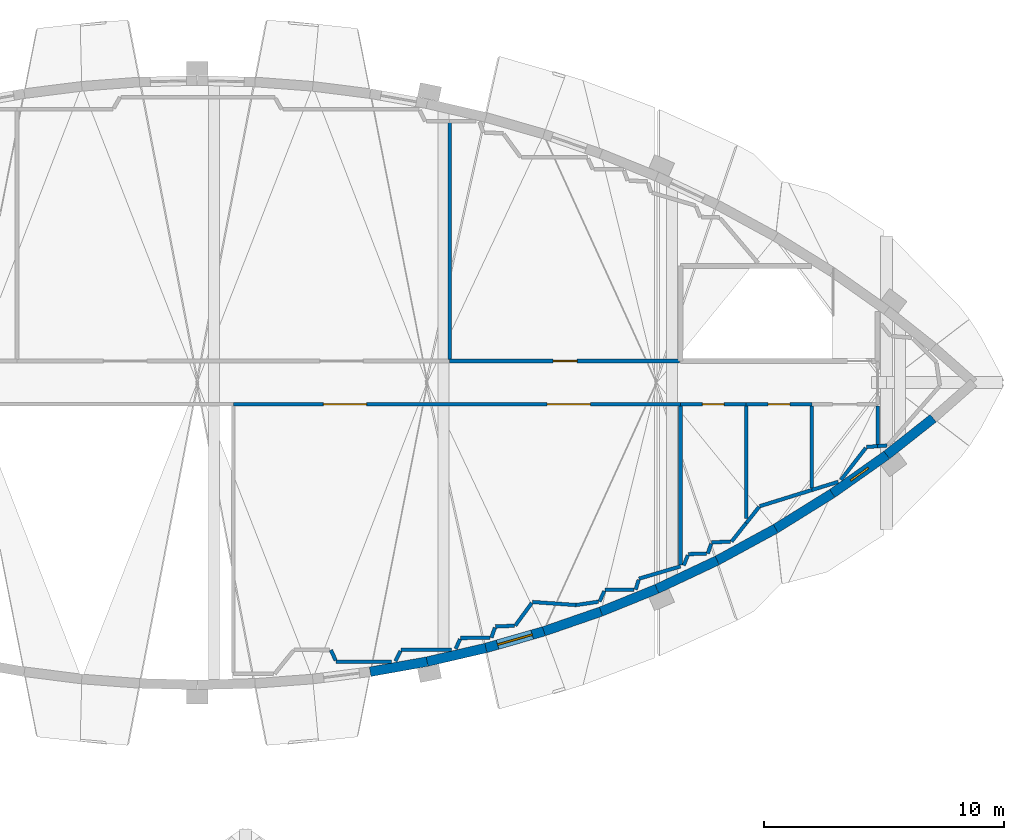
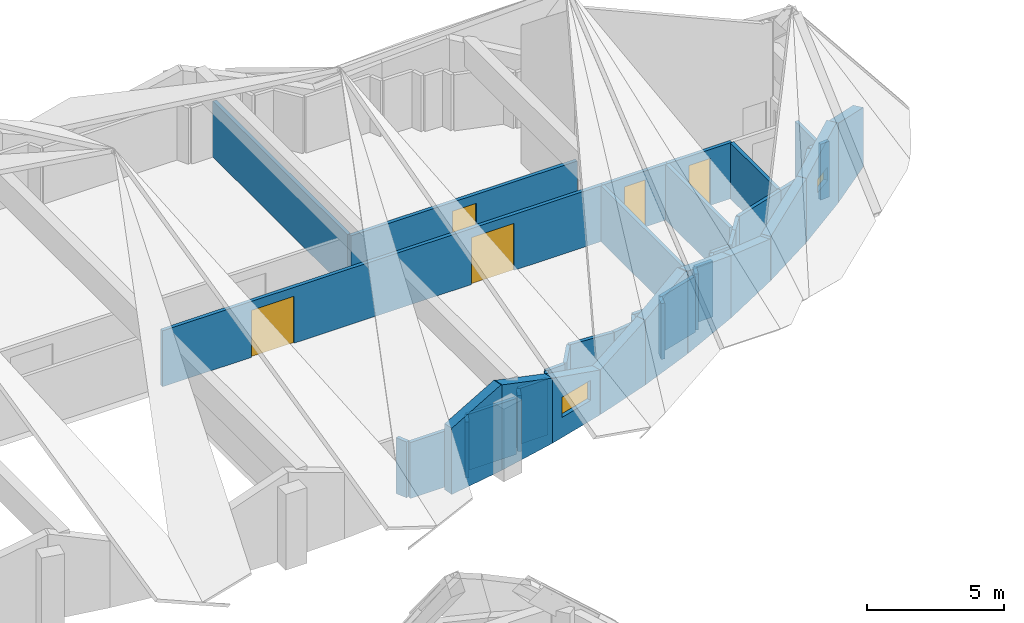
# One storey, part 47 of 56: 45 walls, 5 doors, 2 windows, 7 openings.
"""IFC4 building model written with IfcOpenShell, lengths in metres."""

from ifc_helpers import new_model, si_unit, direction, frame, frame_2d, origin, place, context, subcontext, project, spatial, polyline, rectangle, outline, extrude, material, layer, layer_set, type_object, element, fill, save


model = new_model("IFC4")

# Units and contexts
model_context = context("Model", 3, precision=1e-05, world=origin(), true_north=direction((0.0, 1.0)))
body_context = subcontext(model_context, "Body", "Model", "MODEL_VIEW")
ifc_project = project(units=[si_unit("LENGTHUNIT", "METRE"), si_unit("AREAUNIT", "SQUARE_METRE"), si_unit("VOLUMEUNIT", "CUBIC_METRE"), si_unit("PLANEANGLEUNIT", "RADIAN"), si_unit("MASSUNIT", "GRAM", prefix="KILO")], contexts=[model_context])

# Site, building, storey
site_placement = place(None, origin())
site = spatial("IfcSite", under=ifc_project, at=site_placement, CompositionType="ELEMENT")
building_placement = place(site_placement, origin())
building = spatial("IfcBuilding", under=site, at=building_placement, Name="Tide Square Theatres", CompositionType="ELEMENT")
storey_placement = place(building_placement, frame((0.0, 0.0, 10.199951171875)))
storey = spatial("IfcBuildingStorey", under=building, at=storey_placement, Name="L02", CompositionType="ELEMENT", Elevation=10.199951171875)

# Walls
ifc_material_1 = material(Name="Gypsum board on steel studs", Category="steel")
ifc_layer_1 = layer(ifc_material_1, 0.14990234375)
ifc_layer_set_1 = layer_set([ifc_layer_1], Name="Gypsum board on steel studs")
wall_type_1 = type_object("IfcWallType", Name="Partition 150 thick", PredefinedType="PARTITIONING", material=ifc_layer_set_1)
wall_1_placement = place(storey_placement, frame((138.072998046875, 86.191650390625, 0.0), z_axis=(0.0, 0.0, 1.0), x_axis=(-0.99999999433, -0.000106484932, 0.0)))
element("IfcWall", 1, at=wall_1_placement, inside=storey, type_object=wall_type_1, Name="Rehearsal Block partition", PredefinedType="PARTITIONING", context=body_context, shape_type="SweptSolid", body=[
    extrude(rectangle(XDim=2.292724609375, YDim=0.14990234375, at=frame_2d((1.146484375, 0.0))), origin(), (0.0, 0.0, 1.0), 2.5),
])
wall_2_placement = place(storey_placement, frame((135.755615234375, 86.24609375, 0.0), z_axis=(0.0, 0.0, 1.0), x_axis=(-0.411669446009, 0.911333236101, 0.0)))
element("IfcWall", 2, at=wall_2_placement, inside=storey, type_object=wall_type_1, Name="Rehearsal Block partition", PredefinedType="PARTITIONING", context=body_context, shape_type="SweptSolid", body=[
    extrude(rectangle(XDim=0.474365234375, YDim=0.14990234375, at=frame_2d((0.2373046875, 0.0))), origin(), (0.0, 0.0, 1.0), 2.5),
])

# Wall, openings, doors
wall_3_placement = place(storey_placement, frame((150.10009765625, 96.89990234375, 0.0), z_axis=(0.0, 0.0, 1.0), x_axis=(-1.0, 0.0, 0.0)))
wall_3 = element("IfcWall", 3, at=wall_3_placement, inside=storey, type_object=wall_type_1, Name="Rehearsal Block partition", PredefinedType="PARTITIONING", context=body_context, shape_type="SweptSolid", body=[
    extrude(rectangle(XDim=18.60009765625, YDim=0.14990234375, at=frame_2d((9.300048828125, 0.0))), origin(), (0.0, 0.0, 1.0), 2.5),
])
opening_1_placement = place(wall_3_placement, frame((13.050048828125, 0.0, 0.0)))
opening_1 = element("IfcOpeningElement", 4, at=opening_1_placement, cuts=wall_3, Name="Opening R2-09", PredefinedType="OPENING", context=body_context, shape_type="SweptSolid", body=[
    extrude(rectangle(XDim=1.800048828125, YDim=2.10009765625, at=frame_2d((0.89990234375, 1.050048828125))), frame((0.0, 0.0849609375, 0.0), z_axis=(0.0, -1.0, 0.0), x_axis=(1.0, 0.0, 0.0)), (0.0, 0.0, 1.0), 0.169921875),
])
opening_2_placement = place(wall_3_placement, frame((3.75, 0.0, 0.0)))
opening_2 = element("IfcOpeningElement", 5, at=opening_2_placement, cuts=wall_3, Name="Opening R2-10", PredefinedType="OPENING", context=body_context, shape_type="SweptSolid", body=[
    extrude(rectangle(XDim=1.800048828125, YDim=2.10009765625, at=frame_2d((0.89990234375, 1.050048828125))), frame((0.0, 0.0849609375, 0.0), z_axis=(0.0, -1.0, 0.0), x_axis=(1.0, 0.0, 0.0)), (0.0, 0.0, 1.0), 0.169921875),
])
ifc_material_2 = material(Name="Hardwood timber", Category="wood")
door_type_1 = type_object("IfcDoorType", Name="Door 1800 x 2100 double leaf", OperationType="DOUBLE_DOOR_SINGLE_SWING", PredefinedType="DOOR", material=ifc_material_2)
door_1_placement = place(opening_1_placement, origin())
door_1 = element("IfcDoor", 6, at=door_1_placement, inside=storey, type_object=door_type_1, Name="Rehearsal Block door R2-09 to Rehearsal Room 04", OperationType="DOUBLE_DOOR_SINGLE_SWING", OverallHeight=2.10009765625, OverallWidth=1.800048828125, PredefinedType="DOOR", context=body_context, shape_type="SweptSolid", body=[
    extrude(rectangle(XDim=1.800048828125, YDim=2.10009765625, at=frame_2d((0.89990234375, 1.050048828125))), frame((0.0, 0.02490234375, 0.0), z_axis=(0.0, -1.0, 0.0), x_axis=(1.0, 0.0, 0.0)), (0.0, 0.0, 1.0), 0.050048828125),
])
fill(opening_1, door_1)
door_2_placement = place(opening_2_placement, origin())
door_2 = element("IfcDoor", 7, at=door_2_placement, inside=storey, type_object=door_type_1, Name="Rehearsal Block door R2-10 to Rehearsal Room 04", OperationType="DOUBLE_DOOR_SINGLE_SWING", OverallHeight=2.10009765625, OverallWidth=1.800048828125, PredefinedType="DOOR", context=body_context, shape_type="SweptSolid", body=[
    extrude(rectangle(XDim=1.800048828125, YDim=2.10009765625, at=frame_2d((0.89990234375, 1.050048828125))), frame((0.0, 0.02490234375, 0.0), z_axis=(0.0, -1.0, 0.0), x_axis=(1.0, 0.0, 0.0)), (0.0, 0.0, 1.0), 0.050048828125),
])
fill(opening_2, door_2)

# Walls
wall_4_placement = place(storey_placement, frame((140.565673828125, 86.691162109375, 0.0), z_axis=(0.0, 0.0, 1.0), x_axis=(-0.999996683393, -0.002575500706, 0.0)))
element("IfcWall", 8, at=wall_4_placement, inside=storey, type_object=wall_type_1, Name="Rehearsal Block partition", PredefinedType="PARTITIONING", context=body_context, shape_type="SweptSolid", body=[
    extrude(rectangle(XDim=2.08544921875, YDim=0.14990234375, at=frame_2d((1.042724609375, 0.0))), origin(), (0.0, 0.0, 1.0), 2.5),
])
wall_5_placement = place(storey_placement, frame((138.45751953125, 86.64111328125, 0.0), z_axis=(0.0, 0.0, 1.0), x_axis=(-0.45070081115, -0.892675069008, 0.0)))
element("IfcWall", 9, at=wall_5_placement, inside=storey, type_object=wall_type_1, Name="Rehearsal Block partition", PredefinedType="PARTITIONING", context=body_context, shape_type="SweptSolid", body=[
    extrude(rectangle(XDim=0.4755859375, YDim=0.14990234375, at=frame_2d((0.23779296875, 0.0))), origin(), (0.0, 0.0, 1.0), 2.5),
])

# Wall, opening, door
wall_6_placement = place(storey_placement, frame((140.5, 98.699951171875, 0.0), z_axis=(0.0, 0.0, 1.0), x_axis=(1.0, 0.0, 0.0)))
wall_6 = element("IfcWall", 10, at=wall_6_placement, inside=storey, type_object=wall_type_1, Name="Rehearsal Block partition", PredefinedType="PARTITIONING", context=body_context, shape_type="SweptSolid", body=[
    extrude(rectangle(XDim=9.570068359375, YDim=0.14990234375, at=frame_2d((4.78515625, 0.0))), origin(), (0.0, 0.0, 1.0), 2.5),
])
opening_3_placement = place(wall_6_placement, frame((4.300048828125, 0.0, 0.0)))
opening_3 = element("IfcOpeningElement", 11, at=opening_3_placement, cuts=wall_6, Name="Opening R2-14", PredefinedType="OPENING", context=body_context, shape_type="SweptSolid", body=[
    extrude(rectangle(XDim=1.0, YDim=2.10009765625, at=frame_2d((0.5, 1.050048828125))), frame((0.0, 0.0849609375, 0.0), z_axis=(0.0, -1.0, 0.0), x_axis=(1.0, 0.0, 0.0)), (0.0, 0.0, 1.0), 0.169921875),
])
ifc_material_3 = material(Name="Hardwood timber", Category="wood")
door_type_2 = type_object("IfcDoorType", Name="Door 1000 x 2100 single leaf", OperationType="NOTDEFINED", PredefinedType="DOOR", material=ifc_material_3)
door_3_placement = place(opening_3_placement, origin())
door_3 = element("IfcDoor", 12, at=door_3_placement, inside=storey, type_object=door_type_2, Name="Rehearsal Block door R2-14 to Education Room 02", OperationType="SINGLE_SWING_RIGHT", OverallHeight=2.10009765625, OverallWidth=1.0, PredefinedType="DOOR", context=body_context, shape_type="SweptSolid", body=[
    extrude(rectangle(XDim=1.0, YDim=2.10009765625, at=frame_2d((0.5, 1.050048828125))), frame((0.0, 0.02490234375, 0.0), z_axis=(0.0, -1.0, 0.0), x_axis=(1.0, 0.0, 0.0)), (0.0, 0.0, 1.0), 0.050048828125),
])
fill(opening_3, door_3)

# Walls
wall_7_placement = place(storey_placement, frame((140.5, 108.614501953125, 0.0), z_axis=(0.0, 0.0, 1.0), x_axis=(0.0, -1.0, 0.0)))
element("IfcWall", 13, at=wall_7_placement, inside=storey, type_object=wall_type_1, Name="Rehearsal Block partition", PredefinedType="PARTITIONING", context=body_context, shape_type="SweptSolid", body=[
    extrude(rectangle(XDim=9.8544921875, YDim=0.14990234375, at=frame_2d((4.92724609375, 0.0))), origin(), (0.0, 0.0, 1.0), 2.5),
])
wall_8_placement = place(storey_placement, frame((150.10009765625, 90.158447265625, 0.0), z_axis=(0.0, 0.0, 1.0), x_axis=(-0.958762505139, -0.284208477599, 0.0)))
element("IfcWall", 14, at=wall_8_placement, inside=storey, type_object=wall_type_1, Name="Rehearsal Block partition", PredefinedType="PARTITIONING", context=body_context, shape_type="SweptSolid", body=[
    extrude(rectangle(XDim=1.798828125, YDim=0.14990234375, at=frame_2d((0.8994140625, 0.0))), origin(), (0.0, 0.0, 1.0), 2.5),
])
wall_9_placement = place(storey_placement, frame((148.36083984375, 89.599365234375, 0.0), z_axis=(0.0, 0.0, 1.0), x_axis=(-0.293804120927, -0.955865648785, 0.0)))
element("IfcWall", 15, at=wall_9_placement, inside=storey, type_object=wall_type_1, Name="Rehearsal Block partition", PredefinedType="PARTITIONING", context=body_context, shape_type="SweptSolid", body=[
    extrude(rectangle(XDim=0.42626953125, YDim=0.14990234375, at=frame_2d((0.213134765625, 0.0))), origin(), (0.0, 0.0, 1.0), 2.5),
])
wall_10_placement = place(storey_placement, frame((148.17578125, 89.191162109375, 0.0), z_axis=(0.0, 0.0, 1.0), x_axis=(-0.99994825347, -0.010173022327, 0.0)))
element("IfcWall", 16, at=wall_10_placement, inside=storey, type_object=wall_type_1, Name="Rehearsal Block partition", PredefinedType="PARTITIONING", context=body_context, shape_type="SweptSolid", body=[
    extrude(rectangle(XDim=1.223876953125, YDim=0.14990234375, at=frame_2d((0.61181640625, 0.0))), origin(), (0.0, 0.0, 1.0), 2.5),
])
wall_11_placement = place(storey_placement, frame((146.931396484375, 89.133056640625, 0.0), z_axis=(0.0, 0.0, 1.0), x_axis=(-0.411926919876, -0.911216885643, 0.0)))
element("IfcWall", 17, at=wall_11_placement, inside=storey, type_object=wall_type_1, Name="Rehearsal Block partition", PredefinedType="PARTITIONING", context=body_context, shape_type="SweptSolid", body=[
    extrude(rectangle(XDim=0.480712890625, YDim=0.14990234375, at=frame_2d((0.240234375, 0.0))), origin(), (0.0, 0.0, 1.0), 2.5),
])
wall_12_placement = place(storey_placement, frame((146.68408203125, 88.687744140625, 0.0), z_axis=(0.0, 0.0, 1.0), x_axis=(-0.989174053521, -0.1467470335, 0.0)))
element("IfcWall", 18, at=wall_12_placement, inside=storey, type_object=wall_type_1, Name="Rehearsal Block partition", PredefinedType="PARTITIONING", context=body_context, shape_type="SweptSolid", body=[
    extrude(rectangle(XDim=0.936767578125, YDim=0.14990234375, at=frame_2d((0.46826171875, 0.0))), origin(), (0.0, 0.0, 1.0), 2.5),
])
wall_13_placement = place(storey_placement, frame((145.757568359375, 88.55029296875, 0.0), z_axis=(0.0, 0.0, 1.0), x_axis=(-0.997564674207, 0.069747550305, 0.0)))
element("IfcWall", 19, at=wall_13_placement, inside=storey, type_object=wall_type_1, Name="Rehearsal Block partition", PredefinedType="PARTITIONING", context=body_context, shape_type="SweptSolid", body=[
    extrude(rectangle(XDim=1.816650390625, YDim=0.14990234375, at=frame_2d((0.908203125, 0.0))), origin(), (0.0, 0.0, 1.0), 2.5),
])
wall_14_placement = place(storey_placement, frame((143.915771484375, 88.636474609375, 0.0), z_axis=(0.0, 0.0, 1.0), x_axis=(-0.589351162838, -0.807876975078, 0.0)))
element("IfcWall", 20, at=wall_14_placement, inside=storey, type_object=wall_type_1, Name="Rehearsal Block partition", PredefinedType="PARTITIONING", context=body_context, shape_type="SweptSolid", body=[
    extrude(rectangle(XDim=1.168701171875, YDim=0.14990234375, at=frame_2d((0.58447265625, 0.0))), origin(), (0.0, 0.0, 1.0), 2.5),
])
wall_15_placement = place(storey_placement, frame((143.18701171875, 87.690673828125, 0.0), z_axis=(0.0, 0.0, 1.0), x_axis=(-0.99904855644, -0.04361171717, 0.0)))
element("IfcWall", 21, at=wall_15_placement, inside=storey, type_object=wall_type_1, Name="Rehearsal Block partition", PredefinedType="PARTITIONING", context=body_context, shape_type="SweptSolid", body=[
    extrude(rectangle(XDim=0.789306640625, YDim=0.14990234375, at=frame_2d((0.39453125, 0.0))), origin(), (0.0, 0.0, 1.0), 2.5),
])
wall_16_placement = place(storey_placement, frame((142.3818359375, 87.609130859375, 0.0), z_axis=(0.0, 0.0, 1.0), x_axis=(-0.333224098067, -0.942847654962, 0.0)))
element("IfcWall", 22, at=wall_16_placement, inside=storey, type_object=wall_type_1, Name="Rehearsal Block partition", PredefinedType="PARTITIONING", context=body_context, shape_type="SweptSolid", body=[
    extrude(rectangle(XDim=0.442626953125, YDim=0.14990234375, at=frame_2d((0.22119140625, 0.0))), origin(), (0.0, 0.0, 1.0), 2.5),
])
wall_17_placement = place(storey_placement, frame((142.17431640625, 87.191162109375, 0.0), z_axis=(0.0, 0.0, 1.0), x_axis=(-0.999948129387, -0.010185211623, 0.0)))
element("IfcWall", 23, at=wall_17_placement, inside=storey, type_object=wall_type_1, Name="Rehearsal Block partition", PredefinedType="PARTITIONING", context=body_context, shape_type="SweptSolid", body=[
    extrude(rectangle(XDim=1.222412109375, YDim=0.14990234375, at=frame_2d((0.611328125, 0.0))), origin(), (0.0, 0.0, 1.0), 2.5),
])
wall_18_placement = place(storey_placement, frame((140.931396484375, 87.133056640625, 0.0), z_axis=(0.0, 0.0, 1.0), x_axis=(-0.41185225152, -0.911250636718, 0.0)))
element("IfcWall", 24, at=wall_18_placement, inside=storey, type_object=wall_type_1, Name="Rehearsal Block partition", PredefinedType="PARTITIONING", context=body_context, shape_type="SweptSolid", body=[
    extrude(rectangle(XDim=0.443359375, YDim=0.14990234375, at=frame_2d((0.2216796875, 0.0))), origin(), (0.0, 0.0, 1.0), 2.5),
])
wall_19_placement = place(storey_placement, frame((152.833251953125, 91.956298828125, 0.0), z_axis=(0.0, 0.0, 1.0), x_axis=(-0.622220537754, -0.78284200347, 0.0)))
element("IfcWall", 25, at=wall_19_placement, inside=storey, type_object=wall_type_1, Name="Rehearsal Block partition", PredefinedType="PARTITIONING", context=body_context, shape_type="SweptSolid", body=[
    extrude(rectangle(XDim=0.975830078125, YDim=0.14990234375, at=frame_2d((0.48779296875, 0.0))), origin(), (0.0, 0.0, 1.0), 2.5),
])
wall_20_placement = place(storey_placement, frame((152.176025390625, 91.190185546875, 0.0), z_axis=(0.0, 0.0, 1.0), x_axis=(-0.999049042967, -0.043600570478, 0.0)))
element("IfcWall", 26, at=wall_20_placement, inside=storey, type_object=wall_type_1, Name="Rehearsal Block partition", PredefinedType="PARTITIONING", context=body_context, shape_type="SweptSolid", body=[
    extrude(rectangle(XDim=0.7783203125, YDim=0.14990234375, at=frame_2d((0.38916015625, 0.0))), origin(), (0.0, 0.0, 1.0), 2.5),
])
wall_21_placement = place(storey_placement, frame((151.37841796875, 91.099609375, 0.0), z_axis=(0.0, 0.0, 1.0), x_axis=(-0.332967964118, -0.942938139472, 0.0)))
element("IfcWall", 27, at=wall_21_placement, inside=storey, type_object=wall_type_1, Name="Rehearsal Block partition", PredefinedType="PARTITIONING", context=body_context, shape_type="SweptSolid", body=[
    extrude(rectangle(XDim=0.431884765625, YDim=0.14990234375, at=frame_2d((0.2158203125, 0.0))), origin(), (0.0, 0.0, 1.0), 2.5),
])
wall_22_placement = place(storey_placement, frame((151.174560546875, 90.690673828125, 0.0), z_axis=(0.0, 0.0, 1.0), x_axis=(-0.999580594318, -0.028959203416, 0.0)))
element("IfcWall", 28, at=wall_22_placement, inside=storey, type_object=wall_type_1, Name="Rehearsal Block partition", PredefinedType="PARTITIONING", context=body_context, shape_type="SweptSolid", body=[
    extrude(rectangle(XDim=0.750244140625, YDim=0.14990234375, at=frame_2d((0.375, 0.0))), origin(), (0.0, 0.0, 1.0), 2.5),
])
wall_23_placement = place(storey_placement, frame((150.406005859375, 90.62255859375, 0.0), z_axis=(0.0, 0.0, 1.0), x_axis=(-0.372588519489, -0.927996656861, 0.0)))
element("IfcWall", 29, at=wall_23_placement, inside=storey, type_object=wall_type_1, Name="Rehearsal Block partition", PredefinedType="PARTITIONING", context=body_context, shape_type="SweptSolid", body=[
    extrude(rectangle(XDim=0.456787109375, YDim=0.14990234375, at=frame_2d((0.228515625, 0.0))), origin(), (0.0, 0.0, 1.0), 2.5),
])
wall_24_placement = place(storey_placement, frame((150.10009765625, 90.218505859375, 0.0), z_axis=(0.0, 0.0, 1.0), x_axis=(0.0, 1.0, 0.0)))
element("IfcWall", 30, at=wall_24_placement, inside=storey, type_object=wall_type_1, Name="Rehearsal Block partition", PredefinedType="PARTITIONING", context=body_context, shape_type="SweptSolid", body=[
    extrude(rectangle(XDim=6.62158203125, YDim=0.14990234375, at=frame_2d((3.310791015625, 0.0))), origin(), (0.0, 0.0, 1.0), 2.5),
])

# Wall, opening, door
wall_25_placement = place(storey_placement, frame((152.833251953125, 96.89990234375, 0.0), z_axis=(0.0, 0.0, 1.0), x_axis=(-1.0, 0.0, 0.0)))
wall_25 = element("IfcWall", 31, at=wall_25_placement, inside=storey, type_object=wall_type_1, Name="Rehearsal Block partition", PredefinedType="PARTITIONING", context=body_context, shape_type="SweptSolid", body=[
    extrude(rectangle(XDim=2.733154296875, YDim=0.14990234375, at=frame_2d((1.36669921875, 0.0))), origin(), (0.0, 0.0, 1.0), 2.5),
])
opening_4_placement = place(wall_25_placement, frame((0.916748046875, 0.0, 0.0)))
opening_4 = element("IfcOpeningElement", 32, at=opening_4_placement, cuts=wall_25, Name="Opening R2-04", PredefinedType="OPENING", context=body_context, shape_type="SweptSolid", body=[
    extrude(rectangle(XDim=0.89990234375, YDim=2.10009765625, at=frame_2d((0.449951171875, 1.050048828125))), frame((0.0, 0.0849609375, 0.0), z_axis=(0.0, -1.0, 0.0), x_axis=(1.0, 0.0, 0.0)), (0.0, 0.0, 1.0), 0.169921875),
])
ifc_material_4 = material(Name="Hardwood timber", Category="wood")
door_type_3 = type_object("IfcDoorType", Name="Door 900 x 2100 single leaf", OperationType="NOTDEFINED", PredefinedType="DOOR", material=ifc_material_4)
door_4_placement = place(opening_4_placement, origin())
door_4 = element("IfcDoor", 33, at=door_4_placement, inside=storey, type_object=door_type_3, Name="Rehearsal Block door R2-04 to Gents WC E", OperationType="SINGLE_SWING_RIGHT", OverallHeight=2.10009765625, OverallWidth=0.89990234375, PredefinedType="DOOR", context=body_context, shape_type="SweptSolid", body=[
    extrude(rectangle(XDim=0.89990234375, YDim=2.10009765625, at=frame_2d((0.449951171875, 1.050048828125))), frame((0.0, 0.02490234375, 0.0), z_axis=(0.0, -1.0, 0.0), x_axis=(1.0, 0.0, 0.0)), (0.0, 0.0, 1.0), 0.050048828125),
])
fill(opening_4, door_4)

# Walls
wall_26_placement = place(storey_placement, frame((155.566650390625, 93.335693359375, 0.0), z_axis=(0.0, 0.0, 1.0), x_axis=(-0.954993948464, -0.296625282802, 0.0)))
element("IfcWall", 34, at=wall_26_placement, inside=storey, type_object=wall_type_1, Name="Rehearsal Block partition", PredefinedType="PARTITIONING", context=body_context, shape_type="SweptSolid", body=[
    extrude(rectangle(XDim=2.27587890625, YDim=0.14990234375, at=frame_2d((1.137939453125, 0.0))), origin(), (0.0, 0.0, 1.0), 2.5),
])
wall_27_placement = place(storey_placement, frame((153.374755859375, 92.63720703125, 0.0), z_axis=(0.0, 0.0, 1.0), x_axis=(-0.622433718028, -0.782672515591, 0.0)))
element("IfcWall", 35, at=wall_27_placement, inside=storey, type_object=wall_type_1, Name="Rehearsal Block partition", PredefinedType="PARTITIONING", context=body_context, shape_type="SweptSolid", body=[
    extrude(rectangle(XDim=0.869873046875, YDim=0.14990234375, at=frame_2d((0.43505859375, 0.0))), origin(), (0.0, 0.0, 1.0), 2.5),
])
wall_28_placement = place(storey_placement, frame((152.833251953125, 96.840087890625, 0.0), z_axis=(0.0, 0.0, 1.0), x_axis=(0.0, -1.0, 0.0)))
element("IfcWall", 36, at=wall_28_placement, inside=storey, type_object=wall_type_1, Name="Rehearsal Block partition", PredefinedType="PARTITIONING", context=body_context, shape_type="SweptSolid", body=[
    extrude(rectangle(XDim=4.69384765625, YDim=0.14990234375, at=frame_2d((2.346923828125, 0.0))), origin(), (0.0, 0.0, 1.0), 2.5),
])

# Wall, opening, door
wall_29_placement = place(storey_placement, frame((155.566650390625, 96.89990234375, 0.0), z_axis=(0.0, 0.0, 1.0), x_axis=(-1.0, 0.0, 0.0)))
wall_29 = element("IfcWall", 37, at=wall_29_placement, inside=storey, type_object=wall_type_1, Name="Rehearsal Block partition", PredefinedType="PARTITIONING", context=body_context, shape_type="SweptSolid", body=[
    extrude(rectangle(XDim=2.7333984375, YDim=0.14990234375, at=frame_2d((1.36669921875, 0.0))), origin(), (0.0, 0.0, 1.0), 2.5),
])
opening_5_placement = place(wall_29_placement, frame((0.916748046875, 0.0, 0.0)))
opening_5 = element("IfcOpeningElement", 38, at=opening_5_placement, cuts=wall_29, Name="Opening R2-05", PredefinedType="OPENING", context=body_context, shape_type="SweptSolid", body=[
    extrude(rectangle(XDim=0.89990234375, YDim=2.10009765625, at=frame_2d((0.449951171875, 1.050048828125))), frame((0.0, 0.0849609375, 0.0), z_axis=(0.0, -1.0, 0.0), x_axis=(1.0, 0.0, 0.0)), (0.0, 0.0, 1.0), 0.169921875),
])
door_5_placement = place(opening_5_placement, origin())
door_5 = element("IfcDoor", 39, at=door_5_placement, inside=storey, type_object=door_type_3, Name="Rehearsal Block door R2-05 to Ladies WC E", OperationType="SINGLE_SWING_RIGHT", OverallHeight=2.10009765625, OverallWidth=0.89990234375, PredefinedType="DOOR", context=body_context, shape_type="SweptSolid", body=[
    extrude(rectangle(XDim=0.89990234375, YDim=2.10009765625, at=frame_2d((0.449951171875, 1.050048828125))), frame((0.0, 0.02490234375, 0.0), z_axis=(0.0, -1.0, 0.0), x_axis=(1.0, 0.0, 0.0)), (0.0, 0.0, 1.0), 0.050048828125),
])
fill(opening_5, door_5)

# Walls
wall_30_placement = place(storey_placement, frame((156.6591796875, 93.675048828125, 0.0), z_axis=(0.0, 0.0, 1.0), x_axis=(-0.954991198107, -0.296634137513, 0.0)))
element("IfcWall", 40, at=wall_30_placement, inside=storey, type_object=wall_type_1, Name="Rehearsal Block partition", PredefinedType="PARTITIONING", context=body_context, shape_type="SweptSolid", body=[
    extrude(rectangle(XDim=1.14404296875, YDim=0.14990234375, at=frame_2d((0.572021484375, 0.0))), origin(), (0.0, 0.0, 1.0), 2.5),
])
wall_31_placement = place(storey_placement, frame((155.566650390625, 96.840087890625, 0.0), z_axis=(0.0, 0.0, 1.0), x_axis=(0.0, -1.0, 0.0)))
element("IfcWall", 41, at=wall_31_placement, inside=storey, type_object=wall_type_1, Name="Rehearsal Block partition", PredefinedType="PARTITIONING", context=body_context, shape_type="SweptSolid", body=[
    extrude(rectangle(XDim=3.414306640625, YDim=0.14990234375, at=frame_2d((1.70703125, 0.0))), origin(), (0.0, 0.0, 1.0), 2.5),
])
wall_32_placement = place(storey_placement, frame((158.300048828125, 95.1591796875, 0.0), z_axis=(0.0, 0.0, 1.0), x_axis=(-0.996890500496, -0.078799302161, 0.0)))
element("IfcWall", 42, at=wall_32_placement, inside=storey, type_object=wall_type_1, Name="Rehearsal Block partition", PredefinedType="PARTITIONING", context=body_context, shape_type="SweptSolid", body=[
    extrude(rectangle(XDim=0.461669921875, YDim=0.14990234375, at=frame_2d((0.23095703125, 0.0))), origin(), (0.0, 0.0, 1.0), 2.5),
])
wall_33_placement = place(storey_placement, frame((157.80908203125, 95.083251953125, 0.0), z_axis=(0.0, 0.0, 1.0), x_axis=(-0.614282868135, -0.789085900213, 0.0)))
element("IfcWall", 43, at=wall_33_placement, inside=storey, type_object=wall_type_1, Name="Rehearsal Block partition", PredefinedType="PARTITIONING", context=body_context, shape_type="SweptSolid", body=[
    extrude(rectangle(XDim=1.6787109375, YDim=0.14990234375, at=frame_2d((0.83935546875, 0.0))), origin(), (0.0, 0.0, 1.0), 2.5),
])
wall_34_placement = place(storey_placement, frame((158.685546875, 95.189697265625, 0.0), z_axis=(0.0, 0.0, 1.0), x_axis=(-0.996881179816, -0.078917129498, 0.0)))
element("IfcWall", 44, at=wall_34_placement, inside=storey, type_object=wall_type_1, Name="Rehearsal Block partition", PredefinedType="PARTITIONING", context=body_context, shape_type="SweptSolid", body=[
    extrude(rectangle(XDim=0.38671875, YDim=0.14990234375, at=frame_2d((0.193359375, 0.0))), origin(), (0.0, 0.0, 1.0), 2.5),
])
wall_35_placement = place(storey_placement, frame((158.300048828125, 96.840087890625, 0.0), z_axis=(0.0, 0.0, 1.0), x_axis=(0.0, -1.0, 0.0)))
element("IfcWall", 45, at=wall_35_placement, inside=storey, type_object=wall_type_1, Name="Rehearsal Block partition", PredefinedType="PARTITIONING", context=body_context, shape_type="SweptSolid", body=[
    extrude(rectangle(XDim=1.61083984375, YDim=0.14990234375, at=frame_2d((0.805419921875, 0.0))), origin(), (0.0, 0.0, 1.0), 2.5),
])
ifc_material_5 = material(Name="Concrete C40", Category="concrete")
ifc_layer_2 = layer(ifc_material_5, 0.39990234375)
ifc_layer_set_2 = layer_set([ifc_layer_2], Name="Concrete C40")
wall_type_2 = type_object("IfcWallType", Name="RC curved wall 400 thick", PredefinedType="SOLIDWALL", material=ifc_layer_set_2)
wall_36_placement = place(storey_placement, frame((137.191162109375, 85.775390625, 0.0), z_axis=(0.0, 0.0, 1.0), x_axis=(0.984524011381, 0.175249738987, 0.0)))
element("IfcWall", 46, at=wall_36_placement, inside=storey, type_object=wall_type_2, Name="Rehearsal Block perimeter wall 017", PredefinedType="SOLIDWALL", context=body_context, shape_type="SweptSolid", body=[
    extrude(outline(polyline([(0.0, 0.0), (2.406005859375, 0.0), (2.406005859375, 3.8173828125), (2.3564453125, 3.84033203125), (2.285400390625, 3.813720703125), (0.07763671875, 2.988037109375), (0.0, 2.958740234375), (0.0, 0.0)])), frame((0.0, 0.199951171875, 0.0), z_axis=(0.0, -1.0, 0.0), x_axis=(1.0, 0.0, 0.0)), (0.0, 0.0, 1.0), 0.39990234375),
])
wall_37_placement = place(storey_placement, frame((139.559814453125, 86.197021484375, 0.0), z_axis=(0.0, 0.0, 1.0), x_axis=(0.974210649093, 0.225640446716, 0.0)))
element("IfcWall", 47, at=wall_37_placement, inside=storey, type_object=wall_type_2, Name="Rehearsal Block perimeter wall 018", PredefinedType="SOLIDWALL", context=body_context, shape_type="SweptSolid", body=[
    extrude(outline(polyline([(0.0, 0.0), (2.51123046875, 0.0), (2.51123046875, 2.9111328125), (0.0859375, 3.78271484375), (0.0, 3.8134765625), (0.0, 0.0)])), frame((0.0, 0.199951171875, 0.0), z_axis=(0.0, -1.0, 0.0), x_axis=(1.0, 0.0, 0.0)), (0.0, 0.0, 1.0), 0.39990234375),
])

# Wall, opening, window
wall_38_placement = place(storey_placement, frame((142.00634765625, 86.763671875, 0.0), z_axis=(0.0, 0.0, 1.0), x_axis=(0.961008605775, 0.276518461637, 0.0)))
wall_38 = element("IfcWall", 48, at=wall_38_placement, inside=storey, type_object=wall_type_2, Name="Rehearsal Block perimeter wall 019", PredefinedType="SOLIDWALL", context=body_context, shape_type="SweptSolid", body=[
    extrude(outline(polyline([(0.0, 0.0), (2.510986328125, 0.0), (2.510986328125, 2.00732421875), (2.47900390625, 2.018798828125), (0.0, 2.9072265625), (0.0, 0.0)])), frame((0.0, 0.199951171875, 0.0), z_axis=(0.0, -1.0, 0.0), x_axis=(1.0, 0.0, 0.0)), (0.0, 0.0, 1.0), 0.39990234375),
])
opening_6_placement = place(wall_38_placement, frame((0.505615234375, 0.0, 0.89990234375)))
opening_6 = element("IfcOpeningElement", 49, at=opening_6_placement, cuts=wall_38, Name="Opening WN-04", PredefinedType="OPENING", context=body_context, shape_type="SweptSolid", body=[
    extrude(rectangle(XDim=1.5, YDim=0.89990234375, at=frame_2d((0.75, 0.449951171875))), frame((0.0, 0.2099609375, 0.0), z_axis=(0.0, -1.0, 0.0), x_axis=(1.0, 0.0, 0.0)), (0.0, 0.0, 1.0), 0.419921875),
])
ifc_material_6 = material(Name="Aluminium with laminated glass", Category="aluminium")
window_type_1 = type_object("IfcWindowType", Name="Window 1500 x 900", PartitioningType="SINGLE_PANEL", PredefinedType="WINDOW", material=ifc_material_6)
window_1_placement = place(opening_6_placement, origin())
window_1 = element("IfcWindow", 50, at=window_1_placement, inside=storey, type_object=window_type_1, Name="Rehearsal Block window L02-93", OverallHeight=0.89990234375, OverallWidth=1.5, PartitioningType="SINGLE_PANEL", PredefinedType="WINDOW", context=body_context, shape_type="SweptSolid", body=[
    extrude(rectangle(XDim=1.5, YDim=0.89990234375, at=frame_2d((0.75, 0.449951171875))), frame((0.0, 0.030029296875, 0.0), z_axis=(0.0, -1.0, 0.0), x_axis=(1.0, 0.0, 0.0)), (0.0, 0.0, 1.0), 0.06005859375),
])
fill(opening_6, window_1)

# Walls
wall_39_placement = place(storey_placement, frame((144.41943359375, 87.4580078125, 0.0), z_axis=(0.0, 0.0, 1.0), x_axis=(0.94514546406, 0.326649738659, 0.0)))
element("IfcWall", 51, at=wall_39_placement, inside=storey, type_object=wall_type_2, Name="Rehearsal Block perimeter wall 020", PredefinedType="SOLIDWALL", context=body_context, shape_type="SweptSolid", body=[
    extrude(outline(polyline([(0.0, 0.0), (2.51123046875, 0.0), (2.510986328125, 2.89208984375), (2.382080078125, 2.851806640625), (0.189697265625, 2.06591796875), (0.0, 2.003662109375), (0.0, 0.0)])), frame((0.0, 0.199951171875, 0.0), z_axis=(0.0, -1.0, 0.0), x_axis=(1.0, 0.0, 0.0)), (0.0, 0.0, 1.0), 0.39990234375),
])
wall_40_placement = place(storey_placement, frame((146.79296875, 88.2783203125, 0.0), z_axis=(0.0, 0.0, 1.0), x_axis=(0.926722795862, 0.375745738007, 0.0)))
element("IfcWall", 52, at=wall_40_placement, inside=storey, type_object=wall_type_2, Name="Rehearsal Block perimeter wall 021", PredefinedType="SOLIDWALL", context=body_context, shape_type="SweptSolid", body=[
    extrude(outline(polyline([(0.0, 0.0), (2.5107421875, 0.0), (2.5107421875, 3.696044921875), (2.478759765625, 3.70849609375), (2.397705078125, 3.755126953125), (2.316650390625, 3.72607421875), (0.144287109375, 2.947265625), (0.0, 2.895751953125), (0.0, 0.0)])), frame((0.0, 0.199951171875, 0.0), z_axis=(0.0, -1.0, 0.0), x_axis=(1.0, 0.0, 0.0)), (0.0, 0.0, 1.0), 0.39990234375),
])
wall_41_placement = place(storey_placement, frame((149.11962890625, 89.2216796875, 0.0), z_axis=(0.0, 0.0, 1.0), x_axis=(0.904527098751, 0.42641614372, 0.0)))
element("IfcWall", 53, at=wall_41_placement, inside=storey, type_object=wall_type_2, Name="Rehearsal Block perimeter wall 022", PredefinedType="SOLIDWALL", context=body_context, shape_type="SweptSolid", body=[
    extrude(outline(polyline([(0.0, 0.0), (2.772216796875, 0.0), (2.772216796875, 2.786865234375), (2.749267578125, 2.795654296875), (0.210205078125, 3.6240234375), (0.115966796875, 3.654541015625), (0.0, 3.692138671875), (0.0, 0.0)])), frame((0.0, 0.199951171875, 0.0), z_axis=(0.0, -1.0, 0.0), x_axis=(1.0, 0.0, 0.0)), (0.0, 0.0, 1.0), 0.39990234375),
])
wall_42_placement = place(storey_placement, frame((151.627197265625, 90.40380859375, 0.0), z_axis=(0.0, 0.0, 1.0), x_axis=(0.878292493566, 0.478123724308, 0.0)))
element("IfcWall", 54, at=wall_42_placement, inside=storey, type_object=wall_type_2, Name="Rehearsal Block perimeter wall 023", PredefinedType="SOLIDWALL", context=body_context, shape_type="SweptSolid", body=[
    extrude(outline(polyline([(0.0, 0.0), (2.771728515625, 0.0), (2.771728515625, 1.96630859375), (2.69091796875, 1.908935546875), (0.0, 2.78271484375), (0.0, 0.0)])), frame((0.0, 0.199951171875, 0.0), z_axis=(0.0, -1.0, 0.0), x_axis=(1.0, 0.0, 0.0)), (0.0, 0.0, 1.0), 0.39990234375),
])
wall_43_placement = place(storey_placement, frame((154.0615234375, 91.72900390625, 0.0), z_axis=(0.0, 0.0, 1.0), x_axis=(0.84912946359, 0.528184772653, 0.0)))
element("IfcWall", 55, at=wall_43_placement, inside=storey, type_object=wall_type_2, Name="Rehearsal Block perimeter wall 024", PredefinedType="SOLIDWALL", context=body_context, shape_type="SweptSolid", body=[
    extrude(outline(polyline([(0.0, 0.0), (2.77197265625, 0.0), (2.771728515625, 2.844970703125), (2.450927734375, 2.765625), (0.525146484375, 2.140380859375), (0.0, 1.969970703125), (0.0, 0.0)])), frame((0.0, 0.199951171875, 0.0), z_axis=(0.0, -1.0, 0.0), x_axis=(1.0, 0.0, 0.0)), (0.0, 0.0, 1.0), 0.39990234375),
])

# Wall, opening, window
wall_44_placement = place(storey_placement, frame((156.415283203125, 93.193115234375, 0.0), z_axis=(0.0, 0.0, 1.0), x_axis=(0.817028877428, 0.576596751161, 0.0)))
wall_44 = element("IfcWall", 56, at=wall_44_placement, inside=storey, type_object=wall_type_2, Name="Rehearsal Block perimeter wall 025", PredefinedType="SOLIDWALL", context=body_context, shape_type="SweptSolid", body=[
    extrude(outline(polyline([(0.0, 0.0), (2.772216796875, 0.0), (2.772216796875, 3.554931640625), (2.743896484375, 3.567626953125), (2.602783203125, 3.693359375), (2.461669921875, 3.6474609375), (0.36669921875, 2.967529296875), (0.0, 2.848388671875), (0.0, 0.0)])), frame((0.0, 0.199951171875, 0.0), z_axis=(0.0, -1.0, 0.0), x_axis=(1.0, 0.0, 0.0)), (0.0, 0.0, 1.0), 0.39990234375),
])
opening_7_placement = place(wall_44_placement, frame((0.93603515625, 0.0, 1.60009765625)))
opening_7 = element("IfcOpeningElement", 57, at=opening_7_placement, cuts=wall_44, Name="Opening WN-12", PredefinedType="OPENING", context=body_context, shape_type="SweptSolid", body=[
    extrude(rectangle(XDim=0.89990234375, YDim=0.60009765625, at=frame_2d((0.449951171875, 0.300048828125))), frame((0.0, 0.2099609375, 0.0), z_axis=(0.0, -1.0, 0.0), x_axis=(1.0, 0.0, 0.0)), (0.0, 0.0, 1.0), 0.419921875),
])
ifc_material_7 = material(Name="Aluminium with laminated glass", Category="aluminium")
window_type_2 = type_object("IfcWindowType", Name="Window 900 x 600", PartitioningType="SINGLE_PANEL", PredefinedType="WINDOW", material=ifc_material_7)
window_2_placement = place(opening_7_placement, origin())
window_2 = element("IfcWindow", 58, at=window_2_placement, inside=storey, type_object=window_type_2, Name="Rehearsal Block window L02-94", OverallHeight=0.60009765625, OverallWidth=0.89990234375, PartitioningType="SINGLE_PANEL", PredefinedType="WINDOW", context=body_context, shape_type="SweptSolid", body=[
    extrude(rectangle(XDim=0.89990234375, YDim=0.60009765625, at=frame_2d((0.449951171875, 0.300048828125))), frame((0.0, 0.030029296875, 0.0), z_axis=(0.0, -1.0, 0.0), x_axis=(1.0, 0.0, 0.0)), (0.0, 0.0, 1.0), 0.06005859375),
])
fill(opening_7, window_2)

# Wall
wall_45_placement = place(storey_placement, frame((158.68017578125, 94.79150390625, 0.0), z_axis=(0.0, 0.0, 1.0), x_axis=(0.784278812541, 0.620408530082, 0.0)))
element("IfcWall", 59, at=wall_45_placement, inside=storey, type_object=wall_type_2, Name="Rehearsal Block perimeter wall 026", PredefinedType="SOLIDWALL", context=body_context, shape_type="SweptSolid", body=[
    extrude(outline(polyline([(0.0, 0.0), (2.464111328125, 0.0), (2.464111328125, 2.650634765625), (2.41357421875, 2.669189453125), (0.334716796875, 3.428466796875), (0.176513671875, 3.486083984375), (0.0, 3.550537109375), (0.0, 0.0)])), frame((0.0, 0.199951171875, 0.0), z_axis=(0.0, -1.0, 0.0), x_axis=(1.0, 0.0, 0.0)), (0.0, 0.0, 1.0), 0.39990234375),
])

save(model, "model.ifc")
